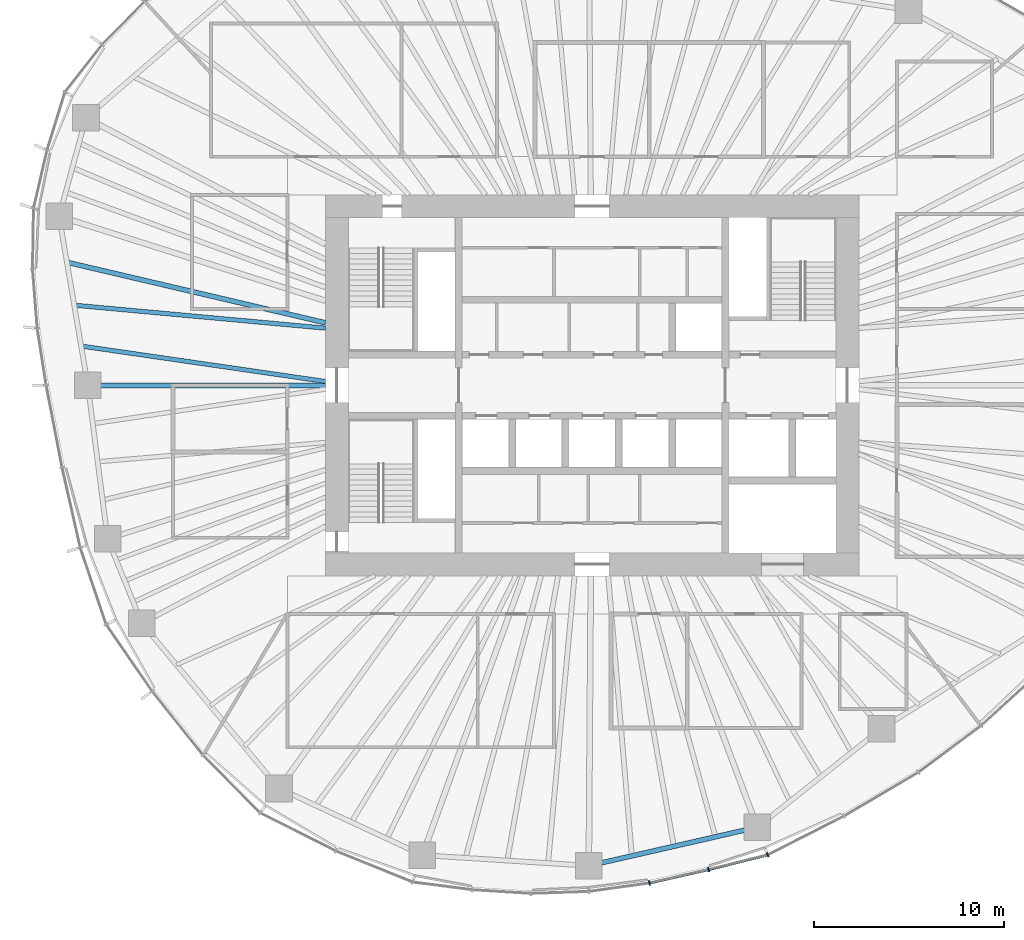
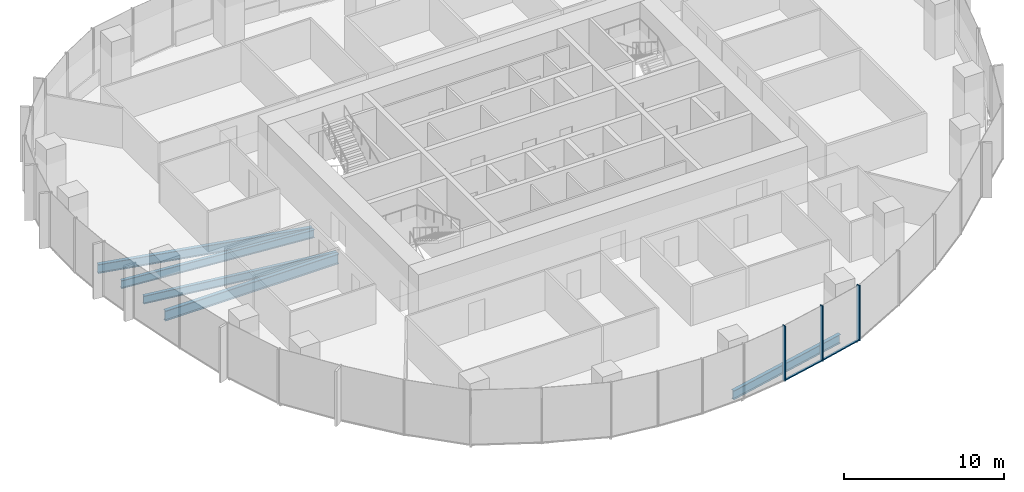
# One storey, part 3 of 18: 5 beams, 5 members, 2 elements without a shape of their own.
"""IFC4 building model written with IfcOpenShell, lengths in metres."""

import ifcopenshell
import ifcopenshell.guid

model = None  # the IFC model being written
_history = None  # IfcOwnerHistory: only IFC2X3 demands one
_inside = {}  # id of a spatial element -> (the spatial element, [elements in it])
_under = {}  # id of a project, library or spatial element -> (it, [spatial elements below it])
_declared = {}  # id of a project -> (the project, [libraries it declares])
_typed = {}  # id of a type object -> (the type object, [elements of that type])
_made_of = {}  # id of a material, layer set ... -> (it, [elements and type objects made of it])


def new_model(schema):
    """Start an empty IFC model of exactly this schema.

    Asked for "IFC4X3", IfcOpenShell would pick the latest addendum, in which some entities
    have other attributes; the version numbers below select the first issue.
    IFC2X3 requires an IfcOwnerHistory on every rooted entity: one is made here for all.
    """
    global model, _history
    if schema == "IFC4X3":
        model = ifcopenshell.file(schema_version=(4, 3, 0, 0))
    else:
        model = ifcopenshell.file(schema=schema)
    _inside.clear()
    _under.clear()
    _declared.clear()
    _typed.clear()
    _made_of.clear()
    _history = None
    if model.schema == "IFC2X3":
        org = make("IfcOrganization", Name="unknown")
        user = make(
            "IfcPersonAndOrganization",
            ThePerson=make("IfcPerson", FamilyName="unknown"),
            TheOrganization=org,
        )
        app = make(
            "IfcApplication",
            ApplicationDeveloper=org,
            Version="unknown",
            ApplicationFullName="unknown",
            ApplicationIdentifier="unknown",
        )
        _history = make(
            "IfcOwnerHistory",
            OwningUser=user,
            OwningApplication=app,
            ChangeAction="ADDED",
            CreationDate=0,
        )
    return model


def make(cls, **values):
    """One entity of the class cls with the attributes given. An attribute that is None is left unset."""
    return model.create_entity(
        cls, **{name: value for name, value in values.items() if value is not None}
    )


def rooted(cls, **values):
    """An entity with a GlobalId (a new one), such as an element, a storey or a relation."""
    return make(cls, GlobalId=ifcopenshell.guid.new(), OwnerHistory=_history, **values)


def si_unit(unit_type, name, prefix=None):
    """IfcSIUnit, for example si_unit("LENGTHUNIT", "METRE", prefix="MILLI")."""
    return make("IfcSIUnit", UnitType=unit_type, Prefix=prefix, Name=name)


def assignment(units):
    """IfcUnitAssignment: the units of a project."""
    return None if units is None else make("IfcUnitAssignment", Units=units)


def point(xyz):
    """IfcCartesianPoint."""
    return None if xyz is None else make("IfcCartesianPoint", Coordinates=xyz)


def direction(xyz):
    """IfcDirection."""
    return None if xyz is None else make("IfcDirection", DirectionRatios=xyz)


def frame(location, z_axis=None, x_axis=None):
    """IfcAxis2Placement3D, a coordinate frame: its origin and axes. An axis left out is left unset."""
    return make(
        "IfcAxis2Placement3D",
        Location=point(location),
        Axis=direction(z_axis),
        RefDirection=direction(x_axis),
    )


def frame_2d(location, x_axis=None):
    """IfcAxis2Placement2D, a coordinate frame in the plane: its origin and x axis."""
    return make(
        "IfcAxis2Placement2D", Location=point(location), RefDirection=direction(x_axis)
    )


def origin():
    """The frame at (0, 0, 0) with its axes left unset."""
    return frame((0.0, 0.0, 0.0))


def origin_2d():
    """The frame at (0, 0) in the plane with its x axis left unset."""
    return frame_2d((0.0, 0.0))


def place(relative_to, where):
    """IfcLocalPlacement: puts the frame where relative to a parent placement (None: the world)."""
    return make(
        "IfcLocalPlacement", PlacementRelTo=relative_to, RelativePlacement=where
    )


def context(
    kind, dimensions, precision=None, world=None, true_north=None, identifier=None
):
    """IfcGeometricRepresentationContext, for example the 3D "Model" context."""
    return make(
        "IfcGeometricRepresentationContext",
        ContextIdentifier=identifier,
        ContextType=kind,
        CoordinateSpaceDimension=dimensions,
        Precision=precision,
        WorldCoordinateSystem=world,
        TrueNorth=true_north,
    )


def subcontext(parent, identifier, kind, view, scale=None):
    """IfcGeometricRepresentationSubContext, for example "Body" below "Model"."""
    return make(
        "IfcGeometricRepresentationSubContext",
        ContextIdentifier=identifier,
        ContextType=kind,
        ParentContext=parent,
        TargetScale=scale,
        TargetView=view,
    )


def project(units=None, contexts=None):
    """IfcProject with its units and contexts."""
    return rooted(
        "IfcProject",
        Name="project",
        RepresentationContexts=contexts,
        UnitsInContext=assignment(units),
    )


def spatial(cls, under=None, at=None, **own):
    """A site, building, storey or space (cls), placed at a placement, below another one or the project."""
    s = rooted(cls, ObjectPlacement=at, **own)
    if under is not None:
        _under.setdefault(under.id(), (under, []))[1].append(s)
    return s


def profile(cls, at=None, kind="AREA", **sizes):
    """A parametric profile (cls). Its sizes go by their IFC names, for example OverallWidth=200.0."""
    return make(cls, ProfileType=kind, Position=at, **sizes)


def rectangle(**sizes):
    """IfcRectangleProfileDef."""
    return profile("IfcRectangleProfileDef", **sizes)


def i_section(**sizes):
    """IfcIShapeProfileDef."""
    return profile("IfcIShapeProfileDef", **sizes)


def extrude(swept, where, along, depth):
    """IfcExtrudedAreaSolid: the profile swept, set in the frame where, extruded along a direction by depth."""
    return make(
        "IfcExtrudedAreaSolid",
        SweptArea=swept,
        Position=where,
        ExtrudedDirection=direction(along),
        Depth=depth,
    )


def shape(context_of_items, identifier, shape_type, items):
    """IfcShapeRepresentation: the items that make up one representation, for example the "Body"."""
    return make(
        "IfcShapeRepresentation",
        ContextOfItems=context_of_items,
        RepresentationIdentifier=identifier,
        RepresentationType=shape_type,
        Items=items,
    )


def material(Name=None, Category=None):
    """IfcMaterial."""
    return make("IfcMaterial", Name=Name, Category=Category)


def material_profile(
    of_material, cross_section, Name=None, Category=None, Priority=None
):
    """IfcMaterialProfile: a cross section and its material."""
    return make(
        "IfcMaterialProfile",
        Name=Name,
        Material=of_material,
        Profile=cross_section,
        Priority=Priority,
        Category=Category,
    )


def profile_set(profiles, Name=None, composite=None):
    """IfcMaterialProfileSet."""
    return make(
        "IfcMaterialProfileSet",
        Name=Name,
        MaterialProfiles=profiles,
        CompositeProfile=composite,
    )


def made_of(thing, what):
    """Note that an element or type object is made of a material, layer set ...; save() writes the relation."""
    if what is not None:
        _made_of.setdefault(what.id(), (what, []))[1].append(thing)
    return thing


def type_object(cls, material=None, **own):
    """A type object (cls), such as IfcWallType, which elements share."""
    return made_of(rooted(cls, **own), material)


def element(
    cls,
    number,
    at=None,
    inside=None,
    cuts=None,
    type_object=None,
    material=None,
    context=None,
    identifier="Body",
    shape_type=None,
    held_by="IfcProductDefinitionShape",
    body=None,
    shapes=None,
    **own,
):
    """One element of the class cls, such as IfcWall. Its Tag is "e" and its number.

    at: its placement. inside: the storey or other place that contains it. cuts: it is an
    opening in that element (IfcRelVoidsElement). A single representation is given by context,
    identifier, shape_type and body (its items); several are given by shapes. held_by: the class
    of the entity that holds the representations. save() writes the other relations.
    """
    e = rooted(cls, Tag="e%d" % number, ObjectPlacement=at, **own)
    if body is not None:
        shapes = [shape(context, identifier, shape_type, body)]
    if shapes is not None:
        e.Representation = make(held_by, Representations=shapes)
    if inside is not None:
        _inside.setdefault(inside.id(), (inside, []))[1].append(e)
    if cuts is not None:
        rooted(
            "IfcRelVoidsElement", RelatingBuildingElement=cuts, RelatedOpeningElement=e
        )
    if type_object is not None:
        _typed.setdefault(type_object.id(), (type_object, []))[1].append(e)
    return made_of(e, material)


def aggregate(whole, parts):
    """IfcRelAggregates: a whole, such as a stair, and the parts it consists of."""
    return rooted("IfcRelAggregates", RelatingObject=whole, RelatedObjects=parts)


def save(model, path):
    """Write the relations noted so far, then the file.

    IfcRelAggregates (storeys below a building ...), IfcRelContainedInSpatialStructure (elements
    in a storey), IfcRelDefinesByType, IfcRelAssociatesMaterial and IfcRelDeclares: one each for
    every whole, place, type object, material and project.
    """
    for whole, parts in _under.values():
        aggregate(whole, parts)
    for where, things in _inside.values():
        rooted(
            "IfcRelContainedInSpatialStructure",
            RelatedElements=things,
            RelatingStructure=where,
        )
    for kind, things in _typed.values():
        rooted("IfcRelDefinesByType", RelatedObjects=things, RelatingType=kind)
    for what, things in _made_of.values():
        rooted("IfcRelAssociatesMaterial", RelatedObjects=things, RelatingMaterial=what)
    for by, libraries in _declared.values():
        rooted("IfcRelDeclares", RelatingContext=by, RelatedDefinitions=libraries)
    model.write(path)


model = new_model("IFC4")

# Units and contexts
model_context = context("Model", 3, precision=1e-05, world=origin(), true_north=direction((0.0, 1.0)))
body_context = subcontext(model_context, "Body", "Model", "MODEL_VIEW")
ifc_project = project(units=[si_unit("LENGTHUNIT", "METRE"), si_unit("AREAUNIT", "SQUARE_METRE"), si_unit("VOLUMEUNIT", "CUBIC_METRE"), si_unit("PLANEANGLEUNIT", "RADIAN"), si_unit("MASSUNIT", "GRAM", prefix="KILO")], contexts=[model_context])

# Site, building, storey
site_placement = place(None, origin())
site = spatial("IfcSite", under=ifc_project, at=site_placement, CompositionType="ELEMENT")
building_placement = place(site_placement, origin())
building = spatial("IfcBuilding", under=site, at=building_placement, Name="Ghaith Harvest Tower", CompositionType="ELEMENT")
storey_placement = place(building_placement, frame((0.0, 0.0, 159.60009765625)))
storey = spatial("IfcBuildingStorey", under=building, at=storey_placement, Name="L34", CompositionType="ELEMENT", Elevation=159.60009765625)

# Curtain wall, members
ifc_material_1 = material(Name="Black anodised aluminium and fritted glass", Category="aluminium")
curtain_wall_type = type_object("IfcCurtainWallType", Name="CW-L CURTAIN WALL", PredefinedType="NOTDEFINED", material=ifc_material_1)
curtain_wall_1_placement = place(storey_placement, origin())
curtain_wall_1 = element("IfcCurtainWall", 1, at=curtain_wall_1_placement, inside=storey, type_object=curtain_wall_type, Name="Curtain wall CW-L bay 16 L34", PredefinedType="NOTDEFINED")
ifc_material_2 = material(Name="Aluminium, black anodised", Category="aluminium")
ifc_material_profile_1 = material_profile(ifc_material_2, rectangle(XDim=0.080078125, YDim=0.239990234375, at=origin_2d()), Name="CW-L MULLION 80x240")
ifc_profile_set_1 = profile_set([ifc_material_profile_1], Name="Aluminium, black anodised")
member_type_1 = type_object("IfcMemberType", Name="CW-L MULLION 80x240", PredefinedType="MULLION", material=ifc_profile_set_1)
member_1_placement = place(storey_placement, frame((3.010009765625, -26.12939453125, 0.0), z_axis=(0.0, 0.0, 1.0), x_axis=(0.983806317978, 0.179234842337, 0.0)))
member_1 = element("IfcMember", 2, at=member_1_placement, type_object=member_type_1, Name="CW-L mullion 2 bay 16 L34", PredefinedType="MULLION", context=body_context, shape_type="SweptSolid", body=[
    extrude(rectangle(XDim=0.080078125, YDim=0.239990234375, at=origin_2d()), origin(), (0.0, 0.0, 1.0), 4.199951171875),
])
member_2_placement = place(storey_placement, frame((6.1201171875, -25.425537109375, 0.0), z_axis=(0.0, 0.0, 1.0), x_axis=(0.972918144681, 0.231149916179, 0.0)))
member_2 = element("IfcMember", 3, at=member_2_placement, type_object=member_type_1, Name="CW-L mullion 3 bay 16 L34", PredefinedType="MULLION", context=body_context, shape_type="SweptSolid", body=[
    extrude(rectangle(XDim=0.080078125, YDim=0.239990234375, at=origin_2d()), origin(), (0.0, 0.0, 1.0), 4.199951171875),
])

# Curtain wall, member
curtain_wall_2_placement = place(storey_placement, origin())
curtain_wall_2 = element("IfcCurtainWall", 4, at=curtain_wall_2_placement, inside=storey, type_object=curtain_wall_type, Name="Curtain wall CW-L bay 17 L34", PredefinedType="NOTDEFINED")
member_3_placement = place(storey_placement, frame((9.216796875, -24.654541015625, 0.0), z_axis=(0.0, 0.0, 1.0), x_axis=(0.929831847154, 0.367984695358, 0.0)))
member_3 = element("IfcMember", 5, at=member_3_placement, type_object=member_type_1, Name="CW-L mullion 1 bay 17 L34", PredefinedType="MULLION", context=body_context, shape_type="SweptSolid", body=[
    extrude(rectangle(XDim=0.080078125, YDim=0.239990234375, at=origin_2d()), origin(), (0.0, 0.0, 1.0), 4.199951171875),
])
aggregate(curtain_wall_2, [member_3])

# Member
ifc_material_3 = material(Name="Aluminium, black anodised", Category="aluminium")
ifc_material_profile_2 = material_profile(ifc_material_3, rectangle(XDim=0.14990234375, YDim=0.080078125, at=origin_2d()), Name="CW-L TRANSOM 150x80")
ifc_profile_set_2 = profile_set([ifc_material_profile_2], Name="Aluminium, black anodised")
member_type_2 = type_object("IfcMemberType", Name="CW-L TRANSOM 150x80", PredefinedType="USERDEFINED", material=ifc_profile_set_2)
member_4_placement = place(storey_placement, frame((3.048828125, -26.120361328125, 0.039794921875), z_axis=(0.975352213651, 0.22065370907, 0.0), x_axis=(-0.22065370907, 0.975352213651, 0.0)))
member_4 = element("IfcMember", 6, at=member_4_placement, type_object=member_type_2, Name="CW-L transom 2 bay 16 L34", ObjectType="TRANSOM", PredefinedType="USERDEFINED", context=body_context, shape_type="SweptSolid", body=[
    extrude(rectangle(XDim=0.14990234375, YDim=0.080078125, at=origin_2d()), origin(), (0.0, 0.0, 1.0), 3.109130859375),
])

member_5_placement = place(storey_placement, frame((6.158935546875, -25.415771484375, 0.039794921875), z_axis=(0.97039125345, 0.241538434265, 0.0), x_axis=(-0.241538434265, 0.97039125345, 0.0)))
member_5 = element("IfcMember", 7, at=member_5_placement, type_object=member_type_2, Name="CW-L transom 3 bay 16 L34", ObjectType="TRANSOM", PredefinedType="USERDEFINED", context=body_context, shape_type="SweptSolid", body=[
    extrude(rectangle(XDim=0.14990234375, YDim=0.080078125, at=origin_2d()), origin(), (0.0, 0.0, 1.0), 3.111083984375),
])

aggregate(curtain_wall_1, [member_1, member_4, member_2, member_5])

# Beams
ifc_material_4 = material(Name="Steel ASTM A992 Grade 50", Category="steel")
ifc_material_profile_3 = material_profile(ifc_material_4, i_section(OverallWidth=0.25390625, OverallDepth=0.68408203125, WebThickness=0.012451171875, FlangeThickness=0.018798828125, at=origin_2d()), Name="W690X140")
ifc_profile_set_3 = profile_set([ifc_material_profile_3], Name="Steel ASTM A992 Grade 50")
beam_type_1 = type_object("IfcBeamType", Name="E690-140 W690X140", PredefinedType="SPANDREL", material=ifc_profile_set_3)
beam_1_placement = place(storey_placement, frame((-0.173095703125, -25.22412109375, -0.51220703125), z_axis=(0.974881709383, 0.22272326486, 0.0), x_axis=(-0.22272326486, 0.974881709383, 0.0)))
element("IfcBeam", 8, at=beam_1_placement, inside=storey, type_object=beam_type_1, Name="Edge beam E16 L34", PredefinedType="SPANDREL", context=body_context, shape_type="SweptSolid", body=[
    extrude(i_section(OverallWidth=0.25390625, OverallDepth=0.68408203125, WebThickness=0.012451171875, FlangeThickness=0.018798828125, at=origin_2d()), origin(), (0.0, 0.0, 1.0), 9.0751953125),
])
ifc_material_5 = material(Name="Steel ASTM A992 Grade 50", Category="steel")
ifc_material_profile_4 = material_profile(ifc_material_5, i_section(OverallWidth=0.26806640625, OverallDepth=0.77001953125, WebThickness=0.015625, FlangeThickness=0.025390625, at=origin_2d()), Name="W760X196")
ifc_profile_set_4 = profile_set([ifc_material_profile_4], Name="Steel ASTM A992 Grade 50")
beam_type_2 = type_object("IfcBeamType", Name="G760-196 W760X196", PredefinedType="BEAM", material=ifc_profile_set_4)
beam_2_placement = place(storey_placement, frame((-14.0, 0.0, -0.55517578125), z_axis=(-1.0, 0.0, 0.0), x_axis=(0.0, -1.0, 0.0)))
element("IfcBeam", 9, at=beam_2_placement, inside=storey, type_object=beam_type_2, Name="Radial girder G11 L34", PredefinedType="BEAM", context=body_context, shape_type="SweptSolid", body=[
    extrude(i_section(OverallWidth=0.26806640625, OverallDepth=0.77001953125, WebThickness=0.015625, FlangeThickness=0.025390625, at=origin_2d()), origin(), (0.0, 0.0, 1.0), 12.47509765625),
])
ifc_material_6 = material(Name="Steel ASTM A992 Grade 50", Category="steel")
ifc_material_profile_5 = material_profile(ifc_material_6, i_section(OverallWidth=0.22900390625, OverallDepth=0.612060546875, WebThickness=0.011962890625, FlangeThickness=0.01953125, at=origin_2d()), Name="W610X125")
ifc_profile_set_5 = profile_set([ifc_material_profile_5], Name="Steel ASTM A992 Grade 50")
beam_type_3 = type_object("IfcBeamType", Name="J610-125 W610X125", PredefinedType="JOIST", material=ifc_profile_set_5)
beam_3_placement = place(storey_placement, frame((-14.0, 3.0, -0.47607421875), z_axis=(-0.995849123151, 0.091019360137, 0.0), x_axis=(-0.091019360137, -0.995849123151, 0.0)))
element("IfcBeam", 10, at=beam_3_placement, inside=storey, type_object=beam_type_3, Name="Joist J10.2 L34", PredefinedType="JOIST", context=body_context, shape_type="SweptSolid", body=[
    extrude(i_section(OverallWidth=0.22900390625, OverallDepth=0.612060546875, WebThickness=0.011962890625, FlangeThickness=0.01953125, at=origin_2d()), origin(), (0.0, 0.0, 1.0), 13.2451171875),
])
beam_4_placement = place(storey_placement, frame((-14.0, 0.199951171875, -0.47607421875), z_axis=(-0.989622120656, 0.143694322465, 0.0), x_axis=(-0.143694322465, -0.989622120656, 0.0)))
element("IfcBeam", 11, at=beam_4_placement, inside=storey, type_object=beam_type_3, Name="Joist J10.3 L34", PredefinedType="JOIST", context=body_context, shape_type="SweptSolid", body=[
    extrude(i_section(OverallWidth=0.22900390625, OverallDepth=0.612060546875, WebThickness=0.011962890625, FlangeThickness=0.01953125, at=origin_2d()), origin(), (0.0, 0.0, 1.0), 12.960205078125),
])
ifc_material_7 = material(Name="Steel ASTM A992 Grade 50", Category="steel")
ifc_material_profile_6 = material_profile(ifc_material_7, i_section(OverallWidth=0.25390625, OverallDepth=0.68408203125, WebThickness=0.012451171875, FlangeThickness=0.018798828125, at=origin_2d()), Name="W690X140")
ifc_profile_set_6 = profile_set([ifc_material_profile_6], Name="Steel ASTM A992 Grade 50")
beam_type_4 = type_object("IfcBeamType", Name="J690-140 W690X140", PredefinedType="JOIST", material=ifc_profile_set_6)
beam_5_placement = place(storey_placement, frame((-14.0, 3.280517578125, -0.51220703125), z_axis=(-0.973623240284, 0.228161753978, 0.0), x_axis=(-0.228161753978, -0.973623240284, 0.0)))
element("IfcBeam", 12, at=beam_5_placement, inside=storey, type_object=beam_type_4, Name="Joist J10.1 L34", PredefinedType="JOIST", context=body_context, shape_type="SweptSolid", body=[
    extrude(i_section(OverallWidth=0.25390625, OverallDepth=0.68408203125, WebThickness=0.012451171875, FlangeThickness=0.018798828125, at=origin_2d()), origin(), (0.0, 0.0, 1.0), 13.94140625),
])

save(model, "model.ifc")
